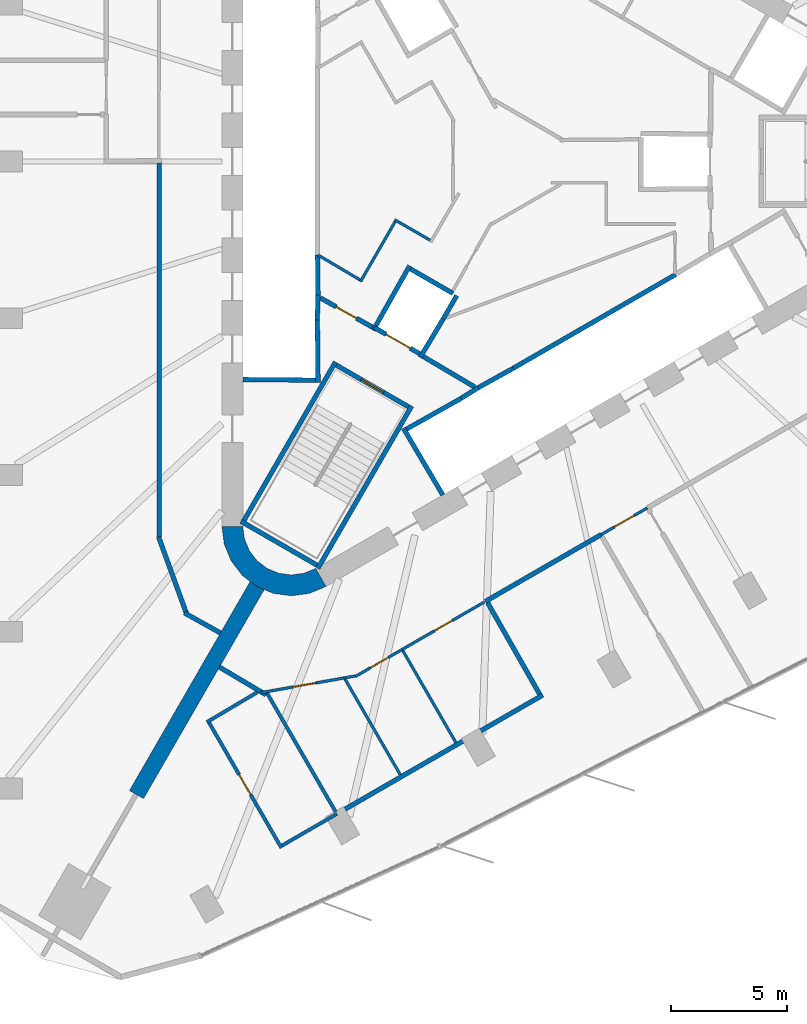
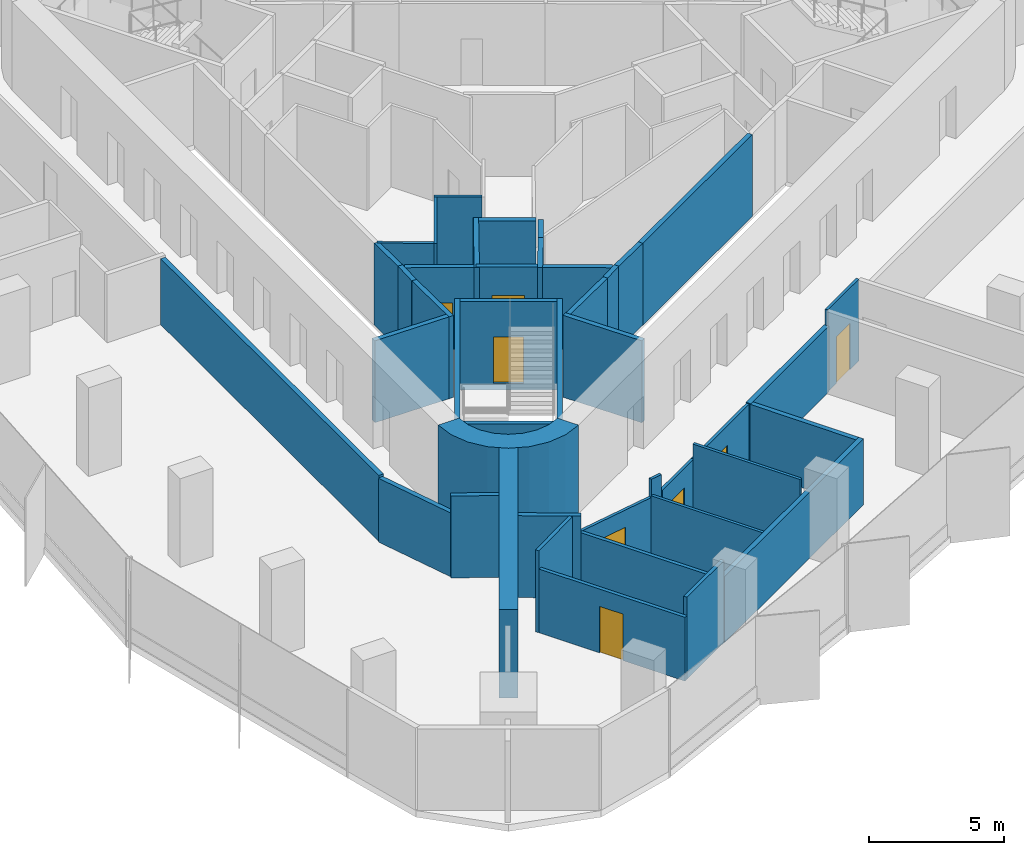
# One storey, part 8 of 14: 43 walls, 8 doors, 8 openings.
"""IFC4 building model written with IfcOpenShell, lengths in metres."""

from ifc_helpers import new_model, si_unit, direction, frame, frame_2d, origin, place, context, subcontext, project, spatial, polyline, rectangle, outline, extrude, material, layer, layer_set, type_object, element, fill, save


model = new_model("IFC4")

# Units and contexts
model_context = context("Model", 3, precision=1e-05, world=origin(), true_north=direction((0.0, 1.0)))
body_context = subcontext(model_context, "Body", "Model", "MODEL_VIEW")
ifc_project = project(units=[si_unit("LENGTHUNIT", "METRE"), si_unit("AREAUNIT", "SQUARE_METRE"), si_unit("VOLUMEUNIT", "CUBIC_METRE"), si_unit("PLANEANGLEUNIT", "RADIAN"), si_unit("MASSUNIT", "GRAM", prefix="KILO")], contexts=[model_context])

# Site, building, storey
site_placement = place(None, origin())
site = spatial("IfcSite", under=ifc_project, at=site_placement, CompositionType="ELEMENT")
building_placement = place(site_placement, origin())
building = spatial("IfcBuilding", under=site, at=building_placement, Name="Tanit Gate Tower", CompositionType="ELEMENT")
storey_placement = place(building_placement, frame((0.0, 0.0, 253.199951171875)))
storey = spatial("IfcBuildingStorey", under=building, at=storey_placement, Name="L57", CompositionType="ELEMENT", Elevation=253.199951171875)

# Walls
ifc_material_1 = material(Name="Concrete C50/60", Category="concrete")
ifc_layer_1 = layer(ifc_material_1, 0.699951171875)
ifc_layer_set_1 = layer_set([ifc_layer_1], Name="BUTTRESS FIN 700 C50/60")
wall_type_1 = type_object("IfcWallType", Name="BUTTRESS FIN 700 C50/60", PredefinedType="SHEAR", material=ifc_layer_set_1)
wall_1_placement = place(storey_placement, frame((-10.574951171875, -18.31640625, 0.0), z_axis=(0.0, 0.0, 1.0), x_axis=(-0.500010108608, -0.866019567498, 0.0)))
element("IfcWall", 1, at=wall_1_placement, inside=storey, type_object=wall_type_1, Name="BUTTRESS FIN", PredefinedType="SHEAR", context=body_context, shape_type="SweptSolid", body=[
    extrude(rectangle(XDim=10.432373046875, YDim=0.699951171875, at=frame_2d((5.21630859375, 0.0))), origin(), (0.0, 0.0, 1.0), 4.0),
])
ifc_material_2 = material(Name="Concrete C50/60", Category="concrete")
ifc_layer_2 = layer(ifc_material_2, 0.89990234375)
ifc_layer_set_2 = layer_set([ifc_layer_2], Name="CORE WALL 900 C50/60")
wall_type_2 = type_object("IfcWallType", Name="CORE WALL 900 C50/60", PredefinedType="SHEAR", material=ifc_layer_set_2)
wall_2_placement = place(storey_placement, origin())
element("IfcWall", 2, at=wall_2_placement, inside=storey, type_object=wall_type_2, Name="CORE WALL CORNER", PredefinedType="SHEAR", context=body_context, shape_type="SweptSolid", body=[
    extrude(outline(polyline([(-12.10009765625, -15.76171875), (-11.997802734375, -16.5380859375), (-11.697998046875, -17.26171875), (-11.22119140625, -17.883056640625), (-10.60009765625, -18.359619140625), (-9.87646484375, -18.659423828125), (-9.10009765625, -18.76171875), (-8.323486328125, -18.659423828125), (-7.60009765625, -18.359619140625), (-8.050048828125, -17.580322265625), (-8.556396484375, -17.7900390625), (-9.10009765625, -17.86181640625), (-9.6435546875, -17.7900390625), (-10.14990234375, -17.580322265625), (-10.5849609375, -17.24658203125), (-10.918701171875, -16.811767578125), (-11.12841796875, -16.30517578125), (-11.199951171875, -15.76171875), (-12.10009765625, -15.76171875)])), origin(), (0.0, 0.0, 1.0), 4.0),
])
ifc_material_3 = material(Name="Fire-rated gypsum board partition")
ifc_layer_3 = layer(ifc_material_3, 0.199951171875)
ifc_layer_set_3 = layer_set([ifc_layer_3], Name="INT-WALL-COMPARTMENT")
wall_type_3 = type_object("IfcWallType", Name="INT-WALL-COMPARTMENT", PredefinedType="PARTITIONING", material=ifc_layer_set_3)
wall_3_placement = place(storey_placement, frame((-3.400634765625, -8.43017578125, 0.0), z_axis=(0.0, 0.0, 1.0), x_axis=(0.860615607571, -0.509255118781, 0.0)))
element("IfcWall", 3, at=wall_3_placement, inside=storey, type_object=wall_type_3, Name="Wall Compartment W066", PredefinedType="PARTITIONING", context=body_context, shape_type="SweptSolid", body=[
    extrude(rectangle(XDim=2.58056640625, YDim=0.199951171875, at=frame_2d((1.290283203125, 0.0))), origin(), (0.0, 0.0, 1.0), 3.699951171875),
])

# Wall, opening, door
wall_4_placement = place(storey_placement, frame((-7.849365234375, -5.893798828125, 0.0), z_axis=(0.0, 0.0, 1.0), x_axis=(0.871363259478, -0.490638431059, 0.0)))
wall_4 = element("IfcWall", 4, at=wall_4_placement, inside=storey, type_object=wall_type_3, Name="Wall Compartment W067", PredefinedType="PARTITIONING", context=body_context, shape_type="SweptSolid", body=[
    extrude(rectangle(XDim=2.5810546875, YDim=0.199951171875, at=frame_2d((1.29052734375, 0.0))), origin(), (0.0, 0.0, 1.0), 3.699951171875),
])
opening_1_placement = place(wall_4_placement, frame((0.79052734375, 0.0, 0.0)))
opening_1 = element("IfcOpeningElement", 5, at=opening_1_placement, cuts=wall_4, Name="Opening F10-S16-08", PredefinedType="OPENING", context=body_context, shape_type="SweptSolid", body=[
    extrude(rectangle(XDim=1.0, YDim=2.10009765625, at=frame_2d((0.5, 1.050048828125))), frame((0.0, 0.10986328125, 0.0), z_axis=(0.0, -1.0, 0.0), x_axis=(1.0, 0.0, 0.0)), (0.0, 0.0, 1.0), 0.219970703125),
])
ifc_material_4 = material(Name="Fire-rated steel door leaf", Category="steel")
door_type_1 = type_object("IfcDoorType", Name="INT-DOOR-FIRE-1000", OperationType="NOTDEFINED", PredefinedType="USERDEFINED", material=ifc_material_4)
door_1_placement = place(opening_1_placement, origin())
door_1 = element("IfcDoor", 6, at=door_1_placement, inside=storey, type_object=door_type_1, Name="Door F10-S16-08", ObjectType="FIRE DOOR", OperationType="SINGLE_SWING_RIGHT", OverallHeight=2.10009765625, OverallWidth=1.0, PredefinedType="USERDEFINED", context=body_context, shape_type="SweptSolid", body=[
    extrude(rectangle(XDim=1.0, YDim=2.10009765625, at=frame_2d((0.5, 1.050048828125))), frame((0.0, 0.02490234375, 0.0), z_axis=(0.0, -1.0, 0.0), x_axis=(1.0, 0.0, 0.0)), (0.0, 0.0, 1.0), 0.050048828125),
])
fill(opening_1, door_1)

# Walls
wall_5_placement = place(storey_placement, frame((-13.722412109375, -19.499267578125, 0.0), z_axis=(0.0, 0.0, 1.0), x_axis=(0.873381780332, -0.487036205824, 0.0)))
element("IfcWall", 7, at=wall_5_placement, inside=storey, type_object=wall_type_3, Name="Wall Compartment W096", PredefinedType="PARTITIONING", context=body_context, shape_type="SweptSolid", body=[
    extrude(rectangle(XDim=1.78466796875, YDim=0.199951171875, at=frame_2d((0.892333984375, 0.0))), origin(), (0.0, 0.0, 1.0), 3.699951171875),
])
wall_6_placement = place(storey_placement, frame((-14.834228515625, -16.22314453125, 0.0), z_axis=(0.0, 0.0, 1.0), x_axis=(0.342017717312, -0.939693503779, 0.0)))
element("IfcWall", 8, at=wall_6_placement, inside=storey, type_object=wall_type_3, Name="Wall Compartment W097", PredefinedType="PARTITIONING", context=body_context, shape_type="SweptSolid", body=[
    extrude(rectangle(XDim=3.4970703125, YDim=0.199951171875, at=frame_2d((1.74853515625, 0.0))), origin(), (0.0, 0.0, 1.0), 2.880126953125),
])
wall_7_placement = place(storey_placement, frame((-14.800048828125, -0.070068359375, 0.0), z_axis=(0.0, 0.0, 1.0), x_axis=(0.0, -1.0, 0.0)))
element("IfcWall", 9, at=wall_7_placement, inside=storey, type_object=wall_type_3, Name="Wall Compartment W098", PredefinedType="PARTITIONING", context=body_context, shape_type="SweptSolid", body=[
    extrude(rectangle(XDim=16.14697265625, YDim=0.199951171875, at=frame_2d((8.073486328125, 0.0))), origin(), (0.0, 0.0, 1.0), 2.97998046875),
])
wall_8_placement = place(storey_placement, frame((-0.722900390625, -19.008056640625, 0.0), z_axis=(0.0, 0.0, 1.0), x_axis=(0.866014659605, 0.500018609004, 0.0)))
element("IfcWall", 10, at=wall_8_placement, inside=storey, type_object=wall_type_3, Name="Wall Compartment W115", PredefinedType="PARTITIONING", context=body_context, shape_type="SweptSolid", body=[
    extrude(rectangle(XDim=5.780029296875, YDim=0.199951171875, at=frame_2d((2.89013671875, 0.0))), origin(), (0.0, 0.0, 1.0), 2.97998046875),
])
wall_9_placement = place(storey_placement, frame((-12.207275390625, -21.843505859375, 0.0), z_axis=(0.0, 0.0, 1.0), x_axis=(0.859839010211, -0.510565251971, 0.0)))
element("IfcWall", 11, at=wall_9_placement, inside=storey, type_object=wall_type_3, Name="Wall Compartment W114", PredefinedType="PARTITIONING", context=body_context, shape_type="SweptSolid", body=[
    extrude(rectangle(XDim=2.341552734375, YDim=0.199951171875, at=frame_2d((1.1708984375, 0.0))), origin(), (0.0, 0.0, 1.0), 3.699951171875),
])
wall_10_placement = place(storey_placement, frame((1.759765625, -23.0478515625, 0.0), z_axis=(0.0, 0.0, 1.0), x_axis=(-0.866021621257, -0.500006551472, 0.0)))
element("IfcWall", 12, at=wall_10_placement, inside=storey, type_object=wall_type_3, Name="Wall Compartment W139", PredefinedType="PARTITIONING", context=body_context, shape_type="SweptSolid", body=[
    extrude(rectangle(XDim=10.265380859375, YDim=0.199951171875, at=frame_2d((5.1328125, 0.0))), origin(), (0.0, 0.0, 1.0), 2.97998046875),
])
wall_11_placement = place(storey_placement, frame((1.623779296875, -23.010986328125, 0.0), z_axis=(0.0, 0.0, 1.0), x_axis=(-0.49451654464, 0.869168215639, 0.0)))
element("IfcWall", 13, at=wall_11_placement, inside=storey, type_object=wall_type_3, Name="Wall Compartment W140", PredefinedType="PARTITIONING", context=body_context, shape_type="SweptSolid", body=[
    extrude(rectangle(XDim=4.5400390625, YDim=0.199951171875, at=frame_2d((2.27001953125, 0.0))), origin(), (0.0, 0.0, 1.0), 2.97998046875),
])
ifc_material_5 = material(Name="Gypsum board partition")
ifc_layer_4 = layer(ifc_material_5, 0.1201171875)
ifc_layer_set_4 = layer_set([ifc_layer_4], Name="INT-WALL-PARTITION")
wall_type_4 = type_object("IfcWallType", Name="INT-WALL-PARTITION", PredefinedType="PARTITIONING", material=ifc_layer_set_4)
wall_12_placement = place(storey_placement, frame((-4.64013671875, -2.51708984375, 0.0), z_axis=(0.0, 0.0, 1.0), x_axis=(0.866025242659, -0.500000279077, 0.0)))
element("IfcWall", 14, at=wall_12_placement, inside=storey, type_object=wall_type_4, Name="Wall Partition W084", PredefinedType="PARTITIONING", context=body_context, shape_type="SweptSolid", body=[
    extrude(rectangle(XDim=1.77490234375, YDim=0.1201171875, at=frame_2d((0.887451171875, 0.0))), origin(), (0.0, 0.0, 1.0), 3.699951171875),
])
wall_13_placement = place(storey_placement, frame((-6.1181640625, -5.197265625, 0.0), z_axis=(0.0, 0.0, 1.0), x_axis=(0.499990139034, 0.866031096941, 0.0)))
element("IfcWall", 15, at=wall_13_placement, inside=storey, type_object=wall_type_4, Name="Wall Partition W085", PredefinedType="PARTITIONING", context=body_context, shape_type="SweptSolid", body=[
    extrude(rectangle(XDim=3.0, YDim=0.1201171875, at=frame_2d((1.5, 0.0))), origin(), (0.0, 0.0, 1.0), 3.699951171875),
])
wall_14_placement = place(storey_placement, frame((-7.949951171875, -4.041015625, 0.0), z_axis=(0.0, 0.0, 1.0), x_axis=(0.860112457103, -0.510104461004, 0.0)))
element("IfcWall", 16, at=wall_14_placement, inside=storey, type_object=wall_type_4, Name="Wall Partition W086", PredefinedType="PARTITIONING", context=body_context, shape_type="SweptSolid", body=[
    extrude(rectangle(XDim=2.1044921875, YDim=0.1201171875, at=frame_2d((1.05224609375, 0.0))), origin(), (0.0, 0.0, 1.0), 3.699951171875),
])

# Wall, opening, door
wall_15_placement = place(storey_placement, frame((-6.33154296875, -22.24609375, 0.0), z_axis=(0.0, 0.0, 1.0), x_axis=(0.866059848015, 0.499940336097, 0.0)))
wall_15 = element("IfcWall", 17, at=wall_15_placement, inside=storey, type_object=wall_type_4, Name="Wall Partition W117", PredefinedType="PARTITIONING", context=body_context, shape_type="SweptSolid", body=[
    extrude(rectangle(XDim=2.327880859375, YDim=0.1201171875, at=frame_2d((1.1640625, 0.0))), origin(), (0.0, 0.0, 1.0), 2.97998046875),
])
opening_2_placement = place(wall_15_placement, frame((0.743896484375, 0.0, 0.0)))
opening_2 = element("IfcOpeningElement", 18, at=opening_2_placement, cuts=wall_15, Name="Opening D09-S16-24", PredefinedType="OPENING", context=body_context, shape_type="SweptSolid", body=[
    extrude(rectangle(XDim=0.89990234375, YDim=2.10009765625, at=frame_2d((0.449951171875, 1.050048828125))), frame((0.0, 0.070068359375, 0.0), z_axis=(0.0, -1.0, 0.0), x_axis=(1.0, 0.0, 0.0)), (0.0, 0.0, 1.0), 0.14013671875),
])
ifc_material_6 = material(Name="Timber door leaf", Category="wood")
door_type_2 = type_object("IfcDoorType", Name="INT-DOOR-SINGLE-900", OperationType="NOTDEFINED", PredefinedType="NOTDEFINED", material=ifc_material_6)
door_2_placement = place(opening_2_placement, origin())
door_2 = element("IfcDoor", 19, at=door_2_placement, inside=storey, type_object=door_type_2, Name="Door D09-S16-24", OperationType="SINGLE_SWING_RIGHT", OverallHeight=2.10009765625, OverallWidth=0.89990234375, PredefinedType="NOTDEFINED", context=body_context, shape_type="SweptSolid", body=[
    extrude(rectangle(XDim=0.89990234375, YDim=2.10009765625, at=frame_2d((0.449951171875, 1.050048828125))), frame((0.0, 0.02490234375, 0.0), z_axis=(0.0, -1.0, 0.0), x_axis=(1.0, 0.0, 0.0)), (0.0, 0.0, 1.0), 0.050048828125),
])
fill(opening_2, door_2)

wall_16_placement = place(storey_placement, frame((-4.3154296875, -21.082275390625, 0.0), z_axis=(0.0, 0.0, 1.0), x_axis=(0.866018339482, 0.500012235531, 0.0)))
wall_16 = element("IfcWall", 20, at=wall_16_placement, inside=storey, type_object=wall_type_4, Name="Wall Partition W116", PredefinedType="PARTITIONING", context=body_context, shape_type="SweptSolid", body=[
    extrude(rectangle(XDim=4.1083984375, YDim=0.1201171875, at=frame_2d((2.05419921875, 0.0))), origin(), (0.0, 0.0, 1.0), 2.97998046875),
])
opening_3_placement = place(wall_16_placement, frame((1.604248046875, 0.0, 0.0)))
opening_3 = element("IfcOpeningElement", 21, at=opening_3_placement, cuts=wall_16, Name="Opening D09-S16-23", PredefinedType="OPENING", context=body_context, shape_type="SweptSolid", body=[
    extrude(rectangle(XDim=0.89990234375, YDim=2.10009765625, at=frame_2d((0.449951171875, 1.050048828125))), frame((0.0, 0.070068359375, 0.0), z_axis=(0.0, -1.0, 0.0), x_axis=(1.0, 0.0, 0.0)), (0.0, 0.0, 1.0), 0.14013671875),
])
door_3_placement = place(opening_3_placement, origin())
door_3 = element("IfcDoor", 22, at=door_3_placement, inside=storey, type_object=door_type_2, Name="Door D09-S16-23", OperationType="SINGLE_SWING_RIGHT", OverallHeight=2.10009765625, OverallWidth=0.89990234375, PredefinedType="NOTDEFINED", context=body_context, shape_type="SweptSolid", body=[
    extrude(rectangle(XDim=0.89990234375, YDim=2.10009765625, at=frame_2d((0.449951171875, 1.050048828125))), frame((0.0, 0.02490234375, 0.0), z_axis=(0.0, -1.0, 0.0), x_axis=(1.0, 0.0, 0.0)), (0.0, 0.0, 1.0), 0.050048828125),
])
fill(opening_3, door_3)

wall_17_placement = place(storey_placement, frame((4.28271484375, -16.117919921875, 0.0), z_axis=(0.0, 0.0, 1.0), x_axis=(0.866053019151, 0.499952165731, 0.0)))
wall_17 = element("IfcWall", 23, at=wall_17_placement, inside=storey, type_object=wall_type_4, Name="Wall Partition W109", PredefinedType="PARTITIONING", context=body_context, shape_type="SweptSolid", body=[
    extrude(rectangle(XDim=2.300048828125, YDim=0.1201171875, at=frame_2d((1.14990234375, 0.0))), origin(), (0.0, 0.0, 1.0), 3.699951171875),
])
opening_4_placement = place(wall_17_placement, frame((0.64990234375, 0.0, 0.0)))
opening_4 = element("IfcOpeningElement", 24, at=opening_4_placement, cuts=wall_17, Name="Opening D10-S16-22", PredefinedType="OPENING", context=body_context, shape_type="SweptSolid", body=[
    extrude(rectangle(XDim=1.0, YDim=2.10009765625, at=frame_2d((0.5, 1.050048828125))), frame((0.0, 0.070068359375, 0.0), z_axis=(0.0, -1.0, 0.0), x_axis=(1.0, 0.0, 0.0)), (0.0, 0.0, 1.0), 0.14013671875),
])
ifc_material_7 = material(Name="Timber door leaf", Category="wood")
door_type_3 = type_object("IfcDoorType", Name="INT-DOOR-SINGLE-1000", OperationType="NOTDEFINED", PredefinedType="NOTDEFINED", material=ifc_material_7)
door_4_placement = place(opening_4_placement, origin())
door_4 = element("IfcDoor", 25, at=door_4_placement, inside=storey, type_object=door_type_3, Name="Door D10-S16-22", OperationType="SINGLE_SWING_LEFT", OverallHeight=2.10009765625, OverallWidth=1.0, PredefinedType="NOTDEFINED", context=body_context, shape_type="SweptSolid", body=[
    extrude(rectangle(XDim=1.0, YDim=2.10009765625, at=frame_2d((0.5, 1.050048828125))), frame((0.0, 0.02490234375, 0.0), z_axis=(0.0, -1.0, 0.0), x_axis=(1.0, 0.0, 0.0)), (0.0, 0.0, 1.0), 0.050048828125),
])
fill(opening_4, door_4)

wall_18_placement = place(storey_placement, frame((-10.44775390625, -22.951171875, 0.0), z_axis=(0.0, 0.0, 1.0), x_axis=(0.984811576761, 0.173626490713, 0.0)))
wall_18 = element("IfcWall", 26, at=wall_18_placement, inside=storey, type_object=wall_type_4, Name="Wall Partition W119", PredefinedType="PARTITIONING", context=body_context, shape_type="SweptSolid", body=[
    extrude(rectangle(XDim=3.6826171875, YDim=0.1201171875, at=frame_2d((1.84130859375, 0.0))), origin(), (0.0, 0.0, 1.0), 2.880126953125),
])
opening_5_placement = place(wall_18_placement, frame((1.44384765625, 0.0, 0.0)))
opening_5 = element("IfcOpeningElement", 27, at=opening_5_placement, cuts=wall_18, Name="Opening D10-S16-25", PredefinedType="OPENING", context=body_context, shape_type="SweptSolid", body=[
    extrude(rectangle(XDim=1.0, YDim=2.10009765625, at=frame_2d((0.5, 1.050048828125))), frame((0.0, 0.070068359375, 0.0), z_axis=(0.0, -1.0, 0.0), x_axis=(1.0, 0.0, 0.0)), (0.0, 0.0, 1.0), 0.14013671875),
])
door_5_placement = place(opening_5_placement, origin())
door_5 = element("IfcDoor", 28, at=door_5_placement, inside=storey, type_object=door_type_3, Name="Door D10-S16-25", OperationType="SINGLE_SWING_LEFT", OverallHeight=2.10009765625, OverallWidth=1.0, PredefinedType="NOTDEFINED", context=body_context, shape_type="SweptSolid", body=[
    extrude(rectangle(XDim=1.0, YDim=2.10009765625, at=frame_2d((0.5, 1.050048828125))), frame((0.0, 0.02490234375, 0.0), z_axis=(0.0, -1.0, 0.0), x_axis=(1.0, 0.0, 0.0)), (0.0, 0.0, 1.0), 0.050048828125),
])
fill(opening_5, door_5)

# Walls
wall_19_placement = place(storey_placement, frame((-6.821044921875, -22.311767578125, 0.0), z_axis=(0.0, 0.0, 1.0), x_axis=(0.984758463347, 0.173927481634, 0.0)))
element("IfcWall", 29, at=wall_19_placement, inside=storey, type_object=wall_type_4, Name="Wall Partition W118", PredefinedType="PARTITIONING", context=body_context, shape_type="SweptSolid", body=[
    extrude(rectangle(XDim=0.489990234375, YDim=0.1201171875, at=frame_2d((0.2451171875, 0.0))), origin(), (0.0, 0.0, 1.0), 3.699951171875),
])
wall_20_placement = place(storey_placement, frame((-4.285400390625, -21.134033203125, 0.0), z_axis=(0.0, 0.0, 1.0), x_axis=(0.49999161165, -0.866030246746, 0.0)))
element("IfcWall", 30, at=wall_20_placement, inside=storey, type_object=wall_type_4, Name="Wall Partition W146", PredefinedType="PARTITIONING", context=body_context, shape_type="SweptSolid", body=[
    extrude(rectangle(XDim=4.580078125, YDim=0.1201171875, at=frame_2d((2.2900390625, 0.0))), origin(), (0.0, 0.0, 1.0), 3.699951171875),
])
wall_21_placement = place(storey_placement, frame((-4.39892578125, -26.48828125, 0.0), z_axis=(0.0, 0.0, 1.0), x_axis=(-0.499988794591, 0.866031873134, 0.0)))
element("IfcWall", 31, at=wall_21_placement, inside=storey, type_object=wall_type_4, Name="Wall Partition W147", PredefinedType="PARTITIONING", context=body_context, shape_type="SweptSolid", body=[
    extrude(rectangle(XDim=4.7607421875, YDim=0.1201171875, at=frame_2d((2.38037109375, 0.0))), origin(), (0.0, 0.0, 1.0), 2.97998046875),
])
ifc_material_8 = material(Name="Fire-rated gypsum board partition")
ifc_layer_5 = layer(ifc_material_8, 0.14990234375)
ifc_layer_set_5 = layer_set([ifc_layer_5], Name="INT-WALL-RISER")
wall_type_5 = type_object("IfcWallType", Name="INT-WALL-RISER", PredefinedType="PLUMBINGWALL", material=ifc_layer_set_5)
wall_22_placement = place(storey_placement, frame((-10.57421875, -22.930419921875, 0.0), z_axis=(0.0, 0.0, 1.0), x_axis=(-0.86012706177, -0.510079834547, 0.0)))
element("IfcWall", 32, at=wall_22_placement, inside=storey, type_object=wall_type_5, Name="Wall Riser W143", PredefinedType="PLUMBINGWALL", context=body_context, shape_type="SweptSolid", body=[
    extrude(rectangle(XDim=2.532470703125, YDim=0.14990234375, at=frame_2d((1.26611328125, 0.0))), origin(), (0.0, 0.0, 1.0), 3.699951171875),
])

# Wall, opening, door
wall_23_placement = place(storey_placement, frame((-12.650390625, -24.2490234375, 0.0), z_axis=(0.0, 0.0, 1.0), x_axis=(0.500027264788, -0.866009661879, 0.0)))
wall_23 = element("IfcWall", 33, at=wall_23_placement, inside=storey, type_object=wall_type_5, Name="Wall Riser W144", PredefinedType="PLUMBINGWALL", context=body_context, shape_type="SweptSolid", body=[
    extrude(rectangle(XDim=6.239990234375, YDim=0.14990234375, at=frame_2d((3.1201171875, 0.0))), origin(), (0.0, 0.0, 1.0), 2.880126953125),
])
opening_6_placement = place(wall_23_placement, frame((2.58251953125, 0.0, 0.0)))
opening_6 = element("IfcOpeningElement", 34, at=opening_6_placement, cuts=wall_23, Name="Opening F10-S16-26", PredefinedType="OPENING", context=body_context, shape_type="SweptSolid", body=[
    extrude(rectangle(XDim=1.0, YDim=2.10009765625, at=frame_2d((0.5, 1.050048828125))), frame((0.0, 0.0849609375, 0.0), z_axis=(0.0, -1.0, 0.0), x_axis=(1.0, 0.0, 0.0)), (0.0, 0.0, 1.0), 0.169921875),
])
door_6_placement = place(opening_6_placement, origin())
door_6 = element("IfcDoor", 35, at=door_6_placement, inside=storey, type_object=door_type_1, Name="Door F10-S16-26", ObjectType="FIRE DOOR", OperationType="SINGLE_SWING_LEFT", OverallHeight=2.10009765625, OverallWidth=1.0, PredefinedType="USERDEFINED", context=body_context, shape_type="SweptSolid", body=[
    extrude(rectangle(XDim=1.0, YDim=2.10009765625, at=frame_2d((0.5, 1.050048828125))), frame((0.0, 0.02490234375, 0.0), z_axis=(0.0, -1.0, 0.0), x_axis=(1.0, 0.0, 0.0)), (0.0, 0.0, 1.0), 0.050048828125),
])
fill(opening_6, door_6)

# Walls
wall_24_placement = place(storey_placement, frame((-7.13037109375, -28.1806640625, 0.0), z_axis=(0.0, 0.0, 1.0), x_axis=(-0.866013438122, -0.500020724563, 0.0)))
element("IfcWall", 36, at=wall_24_placement, inside=storey, type_object=wall_type_5, Name="Wall Riser W145", PredefinedType="PLUMBINGWALL", context=body_context, shape_type="SweptSolid", body=[
    extrude(rectangle(XDim=2.73974609375, YDim=0.14990234375, at=frame_2d((1.369873046875, 0.0))), origin(), (0.0, 0.0, 1.0), 3.699951171875),
])
wall_25_placement = place(storey_placement, frame((-10.153076171875, -22.960205078125, 0.0), z_axis=(0.0, 0.0, 1.0), x_axis=(0.500025256787, -0.866010821281, 0.0)))
element("IfcWall", 37, at=wall_25_placement, inside=storey, type_object=wall_type_5, Name="Wall Riser W148", PredefinedType="PLUMBINGWALL", context=body_context, shape_type="SweptSolid", body=[
    extrude(rectangle(XDim=5.932373046875, YDim=0.14990234375, at=frame_2d((2.96630859375, 0.0))), origin(), (0.0, 0.0, 1.0), 2.880126953125),
])
ifc_material_9 = material(Name="Gypsum shaft wall system")
ifc_layer_6 = layer(ifc_material_9, 0.199951171875)
ifc_layer_set_6 = layer_set([ifc_layer_6], Name="INT-WALL-SHAFT")
wall_type_6 = type_object("IfcWallType", Name="INT-WALL-SHAFT", PredefinedType="PLUMBINGWALL", material=ifc_layer_set_6)
wall_26_placement = place(storey_placement, frame((-7.949951171875, -5.7724609375, 0.0), z_axis=(0.0, 0.0, 1.0), x_axis=(-0.030803413295, -0.999525462272, 0.0)))
element("IfcWall", 38, at=wall_26_placement, inside=storey, type_object=wall_type_6, Name="Wall Shaft W008", PredefinedType="PLUMBINGWALL", context=body_context, shape_type="SweptSolid", body=[
    extrude(rectangle(XDim=1.077880859375, YDim=0.199951171875, at=frame_2d((0.5390625, 0.0))), origin(), (0.0, 0.0, 1.0), 3.699951171875),
])
wall_27_placement = place(storey_placement, frame((-7.971435546875, -4.050048828125, 0.0), z_axis=(0.0, 0.0, 1.0), x_axis=(0.012042535896, -0.999927486035, 0.0)))
element("IfcWall", 39, at=wall_27_placement, inside=storey, type_object=wall_type_6, Name="Wall Shaft W009", PredefinedType="PLUMBINGWALL", context=body_context, shape_type="SweptSolid", body=[
    extrude(rectangle(XDim=1.844970703125, YDim=0.199951171875, at=frame_2d((0.92236328125, 0.0))), origin(), (0.0, 0.0, 1.0), 3.699951171875),
])
wall_28_placement = place(storey_placement, frame((-7.97900390625, -6.85009765625, 0.0), z_axis=(0.0, 0.0, 1.0), x_axis=(0.011121475088, -0.999938154483, 0.0)))
element("IfcWall", 40, at=wall_28_placement, inside=storey, type_object=wall_type_6, Name="Wall Shaft W010", PredefinedType="PLUMBINGWALL", context=body_context, shape_type="SweptSolid", body=[
    extrude(rectangle(XDim=2.7001953125, YDim=0.199951171875, at=frame_2d((1.35009765625, 0.0))), origin(), (0.0, 0.0, 1.0), 3.699951171875),
])
wall_29_placement = place(storey_placement, frame((-8.050048828125, -9.448974609375, 0.0), z_axis=(0.0, 0.0, 1.0), x_axis=(-0.999957467379, 0.009222983926, 0.0)))
element("IfcWall", 41, at=wall_29_placement, inside=storey, type_object=wall_type_6, Name="Wall Shaft W011", PredefinedType="PLUMBINGWALL", context=body_context, shape_type="SweptSolid", body=[
    extrude(rectangle(XDim=3.150146484375, YDim=0.199951171875, at=frame_2d((1.5751953125, 0.0))), origin(), (0.0, 0.0, 1.0), 3.699951171875),
])
wall_30_placement = place(storey_placement, frame((0.482666015625, -8.935791015625, 0.0), z_axis=(0.0, 0.0, 1.0), x_axis=(0.866030989016, 0.499990325971, 0.0)))
element("IfcWall", 42, at=wall_30_placement, inside=storey, type_object=wall_type_6, Name="Wall Shaft W023", PredefinedType="PLUMBINGWALL", context=body_context, shape_type="SweptSolid", body=[
    extrude(rectangle(XDim=8.099853515625, YDim=0.199951171875, at=frame_2d((4.0498046875, 0.0))), origin(), (0.0, 0.0, 1.0), 3.699951171875),
])
wall_31_placement = place(storey_placement, frame((-2.557861328125, -14.409423828125, 0.0), z_axis=(0.0, 0.0, 1.0), x_axis=(-0.507997497166, 0.861358544901, 0.0)))
element("IfcWall", 43, at=wall_31_placement, inside=storey, type_object=wall_type_6, Name="Wall Shaft W019", PredefinedType="PLUMBINGWALL", context=body_context, shape_type="SweptSolid", body=[
    extrude(rectangle(XDim=3.350341796875, YDim=0.199951171875, at=frame_2d((1.67529296875, 0.0))), origin(), (0.0, 0.0, 1.0), 3.699951171875),
])
wall_32_placement = place(storey_placement, frame((-1.7685546875, -10.23681640625, 0.0), z_axis=(0.0, 0.0, 1.0), x_axis=(-0.871534483978, -0.490334215854, 0.0)))
element("IfcWall", 44, at=wall_32_placement, inside=storey, type_object=wall_type_6, Name="Wall Shaft W020", PredefinedType="PLUMBINGWALL", context=body_context, shape_type="SweptSolid", body=[
    extrude(rectangle(XDim=2.7001953125, YDim=0.199951171875, at=frame_2d((1.35009765625, 0.0))), origin(), (0.0, 0.0, 1.0), 3.699951171875),
])
wall_33_placement = place(storey_placement, frame((-1.02392578125, -9.77099609375, 0.0), z_axis=(0.0, 0.0, 1.0), x_axis=(-0.850348075135, -0.526220629693, 0.0)))
element("IfcWall", 45, at=wall_33_placement, inside=storey, type_object=wall_type_6, Name="Wall Shaft W021", PredefinedType="PLUMBINGWALL", context=body_context, shape_type="SweptSolid", body=[
    extrude(rectangle(XDim=0.878173828125, YDim=0.199951171875, at=frame_2d((0.43896484375, 0.0))), origin(), (0.0, 0.0, 1.0), 3.699951171875),
])
wall_34_placement = place(storey_placement, frame((-1.130126953125, -9.831298828125, 0.0), z_axis=(0.0, 0.0, 1.0), x_axis=(0.874269620932, 0.485440655401, 0.0)))
element("IfcWall", 46, at=wall_34_placement, inside=storey, type_object=wall_type_6, Name="Wall Shaft W022", PredefinedType="PLUMBINGWALL", context=body_context, shape_type="SweptSolid", body=[
    extrude(rectangle(XDim=1.8447265625, YDim=0.199951171875, at=frame_2d((0.92236328125, 0.0))), origin(), (0.0, 0.0, 1.0), 3.699951171875),
])

# Wall, opening, door
wall_35_placement = place(storey_placement, frame((-3.44580078125, -8.3681640625, 0.0), z_axis=(0.0, 0.0, 1.0), x_axis=(-0.866024647952, 0.500001309137, 0.0)))
wall_35 = element("IfcWall", 47, at=wall_35_placement, inside=storey, type_object=wall_type_6, Name="Wall Shaft W045", PredefinedType="PLUMBINGWALL", context=body_context, shape_type="SweptSolid", body=[
    extrude(rectangle(XDim=2.39990234375, YDim=0.199951171875, at=frame_2d((1.199951171875, 0.0))), origin(), (0.0, 0.0, 1.0), 3.699951171875),
])
opening_7_placement = place(wall_35_placement, frame((0.60009765625, 0.0, 0.0)))
opening_7 = element("IfcOpeningElement", 48, at=opening_7_placement, cuts=wall_35, Name="Opening LDFL3-L57", PredefinedType="OPENING", context=body_context, shape_type="SweptSolid", body=[
    extrude(rectangle(XDim=1.199951171875, YDim=2.39990234375, at=frame_2d((0.60009765625, 1.199951171875))), frame((0.0, 0.10986328125, 0.0), z_axis=(0.0, -1.0, 0.0), x_axis=(1.0, 0.0, 0.0)), (0.0, 0.0, 1.0), 0.219970703125),
])
ifc_material_10 = material(Name="Stainless steel sliding door leaf", Category="steel")
door_type_4 = type_object("IfcDoorType", Name="INT-DOOR-LANDING-1200", OperationType="NOTDEFINED", PredefinedType="USERDEFINED", material=ifc_material_10)
door_7_placement = place(opening_7_placement, origin())
door_7 = element("IfcDoor", 49, at=door_7_placement, inside=storey, type_object=door_type_4, Name="Door LDFL3-L57", ObjectType="LANDING DOOR", OperationType="SLIDING_TO_LEFT", OverallHeight=2.39990234375, OverallWidth=1.199951171875, PredefinedType="USERDEFINED", context=body_context, shape_type="SweptSolid", body=[
    extrude(rectangle(XDim=1.199951171875, YDim=2.39990234375, at=frame_2d((0.60009765625, 1.199951171875))), frame((0.0, 0.02490234375, 0.0), z_axis=(0.0, -1.0, 0.0), x_axis=(1.0, 0.0, 0.0)), (0.0, 0.0, 1.0), 0.050048828125),
])
fill(opening_7, door_7)

# Walls
wall_36_placement = place(storey_placement, frame((-1.960693359375, -5.796142578125, 0.0), z_axis=(0.0, 0.0, 1.0), x_axis=(-0.500074377092, -0.865982457891, 0.0)))
element("IfcWall", 50, at=wall_36_placement, inside=storey, type_object=wall_type_6, Name="Wall Shaft W046", PredefinedType="PLUMBINGWALL", context=body_context, shape_type="SweptSolid", body=[
    extrude(rectangle(XDim=1.160888671875, YDim=0.199951171875, at=frame_2d((0.58056640625, 0.0))), origin(), (0.0, 0.0, 1.0), 3.699951171875),
])
wall_37_placement = place(storey_placement, frame((-2.541748046875, -6.80126953125, 0.0), z_axis=(0.0, 0.0, 1.0), x_axis=(-0.51375503712, -0.857936921827, 0.0)))
element("IfcWall", 51, at=wall_37_placement, inside=storey, type_object=wall_type_6, Name="Wall Shaft W047", PredefinedType="PLUMBINGWALL", context=body_context, shape_type="SweptSolid", body=[
    extrude(rectangle(XDim=1.939208984375, YDim=0.199951171875, at=frame_2d((0.9697265625, 0.0))), origin(), (0.0, 0.0, 1.0), 3.699951171875),
])
wall_38_placement = place(storey_placement, frame((-3.989990234375, -4.509033203125, 0.0), z_axis=(0.0, 0.0, 1.0), x_axis=(-0.491358283181, -0.870957540612, 0.0)))
element("IfcWall", 52, at=wall_38_placement, inside=storey, type_object=wall_type_6, Name="Wall Shaft W048", PredefinedType="PLUMBINGWALL", context=body_context, shape_type="SweptSolid", body=[
    extrude(rectangle(XDim=3.200439453125, YDim=0.199951171875, at=frame_2d((1.60009765625, 0.0))), origin(), (0.0, 0.0, 1.0), 3.699951171875),
])
wall_39_placement = place(storey_placement, frame((-3.95263671875, -4.646240234375, 0.0), z_axis=(0.0, 0.0, 1.0), x_axis=(0.866060616833, -0.499939004251, 0.0)))
element("IfcWall", 53, at=wall_39_placement, inside=storey, type_object=wall_type_6, Name="Wall Shaft W049", PredefinedType="PLUMBINGWALL", context=body_context, shape_type="SweptSolid", body=[
    extrude(rectangle(XDim=2.114501953125, YDim=0.199951171875, at=frame_2d((1.05712890625, 0.0))), origin(), (0.0, 0.0, 1.0), 3.699951171875),
])
ifc_material_11 = material(Name="Concrete C40/50", Category="concrete")
ifc_layer_7 = layer(ifc_material_11, 0.199951171875)
ifc_layer_set_7 = layer_set([ifc_layer_7], Name="INT-WALL-STAIR")
wall_type_7 = type_object("IfcWallType", Name="INT-WALL-STAIR", PredefinedType="SHEAR", material=ifc_layer_set_7)
wall_40_placement = place(storey_placement, frame((-3.904541015625, -10.56298828125, -0.300048828125), z_axis=(0.0, 0.0, 1.0), x_axis=(-0.500012932018, -0.866017937352, 0.0)))
element("IfcWall", 54, at=wall_40_placement, inside=storey, type_object=wall_type_7, Name="Wall Stair W041", PredefinedType="SHEAR", context=body_context, shape_type="SweptSolid", body=[
    extrude(rectangle(XDim=8.099853515625, YDim=0.199951171875, at=frame_2d((4.0498046875, 0.0))), origin(), (0.0, 0.0, 1.0), 4.0),
])
wall_41_placement = place(storey_placement, frame((-11.281982421875, -15.541015625, -0.300048828125), z_axis=(0.0, 0.0, 1.0), x_axis=(0.866000483506, -0.500043160704, 0.0)))
element("IfcWall", 55, at=wall_41_placement, inside=storey, type_object=wall_type_7, Name="Wall Stair W042", PredefinedType="SHEAR", context=body_context, shape_type="SweptSolid", body=[
    extrude(rectangle(XDim=3.800048828125, YDim=0.199951171875, at=frame_2d((1.89990234375, 0.0))), origin(), (0.0, 0.0, 1.0), 4.0),
])
wall_42_placement = place(storey_placement, frame((-7.195556640625, -8.662841796875, -0.300048828125), z_axis=(0.0, 0.0, 1.0), x_axis=(-0.499997992926, -0.866026562566, 0.0)))
element("IfcWall", 56, at=wall_42_placement, inside=storey, type_object=wall_type_7, Name="Wall Stair W043", PredefinedType="SHEAR", context=body_context, shape_type="SweptSolid", body=[
    extrude(rectangle(XDim=7.89990234375, YDim=0.199951171875, at=frame_2d((3.949951171875, 0.0))), origin(), (0.0, 0.0, 1.0), 4.0),
])

# Wall, opening, door
wall_43_placement = place(storey_placement, frame((-4.041259765625, -10.599365234375, -0.300048828125), z_axis=(0.0, 0.0, 1.0), x_axis=(-0.866047807691, 0.499961193289, 0.0)))
wall_43 = element("IfcWall", 57, at=wall_43_placement, inside=storey, type_object=wall_type_7, Name="Wall Stair W044", PredefinedType="SHEAR", context=body_context, shape_type="SweptSolid", body=[
    extrude(rectangle(XDim=3.599853515625, YDim=0.199951171875, at=frame_2d((1.7998046875, 0.0))), origin(), (0.0, 0.0, 1.0), 4.0),
])
opening_8_placement = place(wall_43_placement, frame((1.25, 0.0, 0.300048828125)))
opening_8 = element("IfcOpeningElement", 58, at=opening_8_placement, cuts=wall_43, Name="Opening S11-S16-07", PredefinedType="OPENING", context=body_context, shape_type="SweptSolid", body=[
    extrude(rectangle(XDim=1.10009765625, YDim=2.10009765625, at=frame_2d((0.550048828125, 1.050048828125))), frame((0.0, 0.10986328125, 0.0), z_axis=(0.0, -1.0, 0.0), x_axis=(1.0, 0.0, 0.0)), (0.0, 0.0, 1.0), 0.219970703125),
])
ifc_material_12 = material(Name="Timber door leaf", Category="wood")
door_type_5 = type_object("IfcDoorType", Name="INT-DOOR-STAIR-1100", OperationType="NOTDEFINED", PredefinedType="USERDEFINED", material=ifc_material_12)
door_8_placement = place(opening_8_placement, origin())
door_8 = element("IfcDoor", 59, at=door_8_placement, inside=storey, type_object=door_type_5, Name="Door S11-S16-07", ObjectType="FIRE DOOR", OperationType="SINGLE_SWING_RIGHT", OverallHeight=2.10009765625, OverallWidth=1.10009765625, PredefinedType="USERDEFINED", context=body_context, shape_type="SweptSolid", body=[
    extrude(rectangle(XDim=1.10009765625, YDim=2.10009765625, at=frame_2d((0.550048828125, 1.050048828125))), frame((0.0, 0.02490234375, 0.0), z_axis=(0.0, -1.0, 0.0), x_axis=(1.0, 0.0, 0.0)), (0.0, 0.0, 1.0), 0.050048828125),
])
fill(opening_8, door_8)

save(model, "model.ifc")
